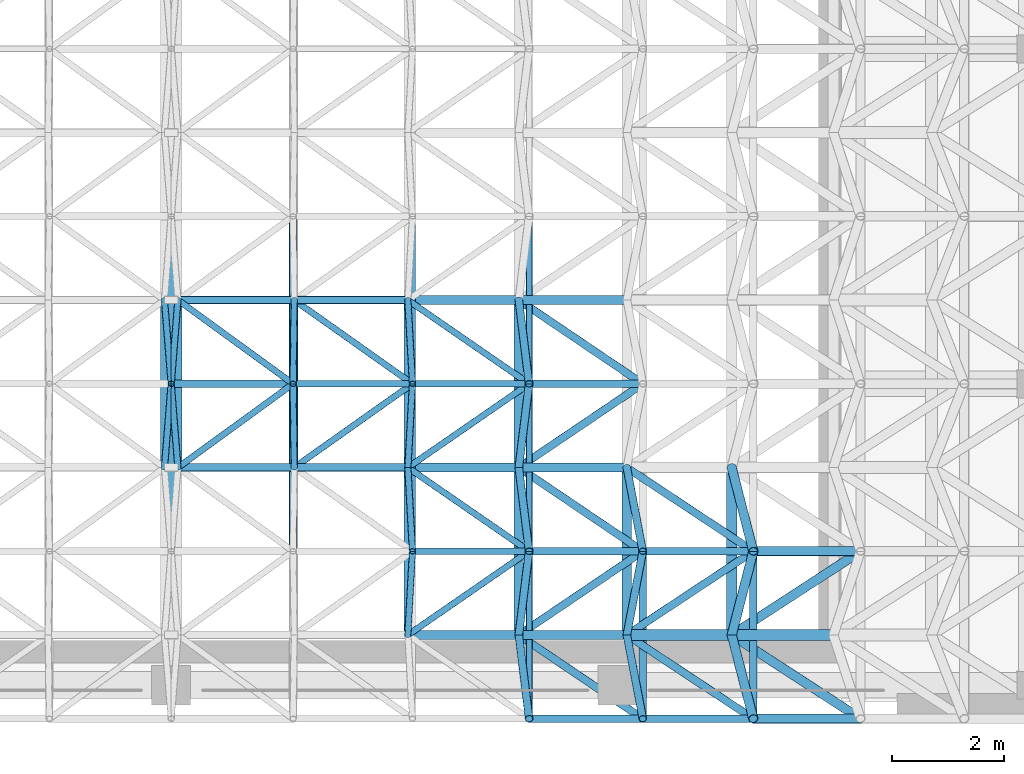
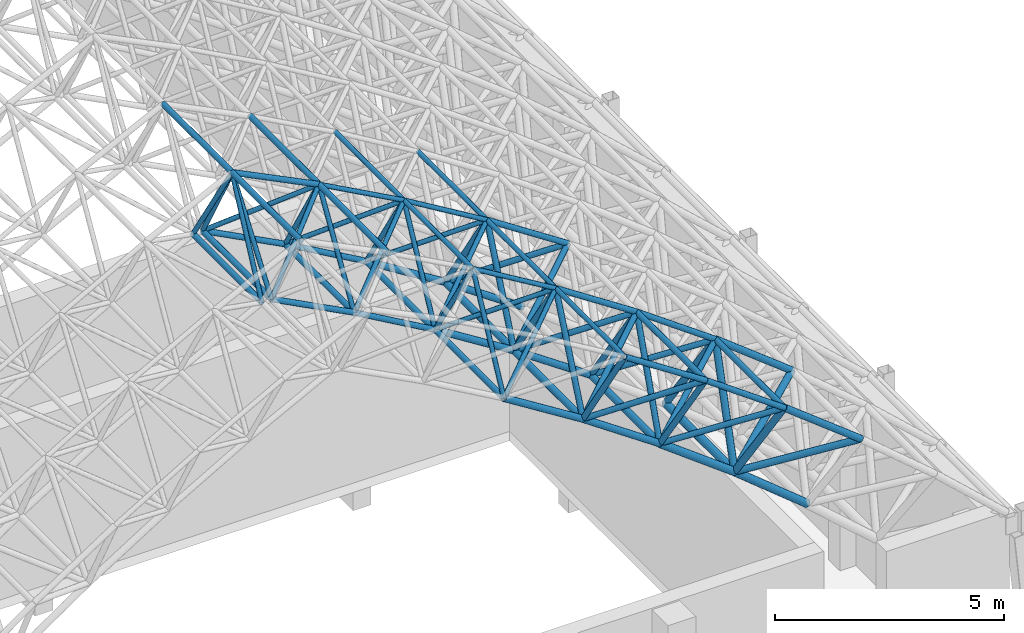
# One storey, part 12 of 141: 82 members.
"""IFC4 building model written with IfcOpenShell, lengths in metres."""

import ifcopenshell
import ifcopenshell.guid

model = None  # the IFC model being written
_history = None  # IfcOwnerHistory: only IFC2X3 demands one
_inside = {}  # id of a spatial element -> (the spatial element, [elements in it])
_under = {}  # id of a project, library or spatial element -> (it, [spatial elements below it])
_declared = {}  # id of a project -> (the project, [libraries it declares])
_typed = {}  # id of a type object -> (the type object, [elements of that type])
_made_of = {}  # id of a material, layer set ... -> (it, [elements and type objects made of it])


def new_model(schema):
    """Start an empty IFC model of exactly this schema.

    Asked for "IFC4X3", IfcOpenShell would pick the latest addendum, in which some entities
    have other attributes; the version numbers below select the first issue.
    IFC2X3 requires an IfcOwnerHistory on every rooted entity: one is made here for all.
    """
    global model, _history
    if schema == "IFC4X3":
        model = ifcopenshell.file(schema_version=(4, 3, 0, 0))
    else:
        model = ifcopenshell.file(schema=schema)
    _inside.clear()
    _under.clear()
    _declared.clear()
    _typed.clear()
    _made_of.clear()
    _history = None
    if model.schema == "IFC2X3":
        org = make("IfcOrganization", Name="unknown")
        user = make(
            "IfcPersonAndOrganization",
            ThePerson=make("IfcPerson", FamilyName="unknown"),
            TheOrganization=org,
        )
        app = make(
            "IfcApplication",
            ApplicationDeveloper=org,
            Version="unknown",
            ApplicationFullName="unknown",
            ApplicationIdentifier="unknown",
        )
        _history = make(
            "IfcOwnerHistory",
            OwningUser=user,
            OwningApplication=app,
            ChangeAction="ADDED",
            CreationDate=0,
        )
    return model


def make(cls, **values):
    """One entity of the class cls with the attributes given. An attribute that is None is left unset."""
    return model.create_entity(
        cls, **{name: value for name, value in values.items() if value is not None}
    )


def rooted(cls, **values):
    """An entity with a GlobalId (a new one), such as an element, a storey or a relation."""
    return make(cls, GlobalId=ifcopenshell.guid.new(), OwnerHistory=_history, **values)


def si_unit(unit_type, name, prefix=None):
    """IfcSIUnit, for example si_unit("LENGTHUNIT", "METRE", prefix="MILLI")."""
    return make("IfcSIUnit", UnitType=unit_type, Prefix=prefix, Name=name)


def assignment(units):
    """IfcUnitAssignment: the units of a project."""
    return None if units is None else make("IfcUnitAssignment", Units=units)


def point(xyz):
    """IfcCartesianPoint."""
    return None if xyz is None else make("IfcCartesianPoint", Coordinates=xyz)


def direction(xyz):
    """IfcDirection."""
    return None if xyz is None else make("IfcDirection", DirectionRatios=xyz)


def frame(location, z_axis=None, x_axis=None):
    """IfcAxis2Placement3D, a coordinate frame: its origin and axes. An axis left out is left unset."""
    return make(
        "IfcAxis2Placement3D",
        Location=point(location),
        Axis=direction(z_axis),
        RefDirection=direction(x_axis),
    )


def frame_2d(location, x_axis=None):
    """IfcAxis2Placement2D, a coordinate frame in the plane: its origin and x axis."""
    return make(
        "IfcAxis2Placement2D", Location=point(location), RefDirection=direction(x_axis)
    )


def origin():
    """The frame at (0, 0, 0) with its axes left unset."""
    return frame((0.0, 0.0, 0.0))


def origin_2d():
    """The frame at (0, 0) in the plane with its x axis left unset."""
    return frame_2d((0.0, 0.0))


def place(relative_to, where):
    """IfcLocalPlacement: puts the frame where relative to a parent placement (None: the world)."""
    return make(
        "IfcLocalPlacement", PlacementRelTo=relative_to, RelativePlacement=where
    )


def context(
    kind, dimensions, precision=None, world=None, true_north=None, identifier=None
):
    """IfcGeometricRepresentationContext, for example the 3D "Model" context."""
    return make(
        "IfcGeometricRepresentationContext",
        ContextIdentifier=identifier,
        ContextType=kind,
        CoordinateSpaceDimension=dimensions,
        Precision=precision,
        WorldCoordinateSystem=world,
        TrueNorth=true_north,
    )


def subcontext(parent, identifier, kind, view, scale=None):
    """IfcGeometricRepresentationSubContext, for example "Body" below "Model"."""
    return make(
        "IfcGeometricRepresentationSubContext",
        ContextIdentifier=identifier,
        ContextType=kind,
        ParentContext=parent,
        TargetScale=scale,
        TargetView=view,
    )


def project(units=None, contexts=None):
    """IfcProject with its units and contexts."""
    return rooted(
        "IfcProject",
        Name="project",
        RepresentationContexts=contexts,
        UnitsInContext=assignment(units),
    )


def spatial(cls, under=None, at=None, **own):
    """A site, building, storey or space (cls), placed at a placement, below another one or the project."""
    s = rooted(cls, ObjectPlacement=at, **own)
    if under is not None:
        _under.setdefault(under.id(), (under, []))[1].append(s)
    return s


def profile(cls, at=None, kind="AREA", **sizes):
    """A parametric profile (cls). Its sizes go by their IFC names, for example OverallWidth=200.0."""
    return make(cls, ProfileType=kind, Position=at, **sizes)


def hollow_circle(**sizes):
    """IfcCircleHollowProfileDef."""
    return profile("IfcCircleHollowProfileDef", **sizes)


def extrude(swept, where, along, depth):
    """IfcExtrudedAreaSolid: the profile swept, set in the frame where, extruded along a direction by depth."""
    return make(
        "IfcExtrudedAreaSolid",
        SweptArea=swept,
        Position=where,
        ExtrudedDirection=direction(along),
        Depth=depth,
    )


def shape(context_of_items, identifier, shape_type, items):
    """IfcShapeRepresentation: the items that make up one representation, for example the "Body"."""
    return make(
        "IfcShapeRepresentation",
        ContextOfItems=context_of_items,
        RepresentationIdentifier=identifier,
        RepresentationType=shape_type,
        Items=items,
    )


def material(Name=None, Category=None):
    """IfcMaterial."""
    return make("IfcMaterial", Name=Name, Category=Category)


def material_profile(
    of_material, cross_section, Name=None, Category=None, Priority=None
):
    """IfcMaterialProfile: a cross section and its material."""
    return make(
        "IfcMaterialProfile",
        Name=Name,
        Material=of_material,
        Profile=cross_section,
        Priority=Priority,
        Category=Category,
    )


def profile_set(profiles, Name=None, composite=None):
    """IfcMaterialProfileSet."""
    return make(
        "IfcMaterialProfileSet",
        Name=Name,
        MaterialProfiles=profiles,
        CompositeProfile=composite,
    )


def made_of(thing, what):
    """Note that an element or type object is made of a material, layer set ...; save() writes the relation."""
    if what is not None:
        _made_of.setdefault(what.id(), (what, []))[1].append(thing)
    return thing


def type_object(cls, material=None, **own):
    """A type object (cls), such as IfcWallType, which elements share."""
    return made_of(rooted(cls, **own), material)


def element(
    cls,
    number,
    at=None,
    inside=None,
    cuts=None,
    type_object=None,
    material=None,
    context=None,
    identifier="Body",
    shape_type=None,
    held_by="IfcProductDefinitionShape",
    body=None,
    shapes=None,
    **own,
):
    """One element of the class cls, such as IfcWall. Its Tag is "e" and its number.

    at: its placement. inside: the storey or other place that contains it. cuts: it is an
    opening in that element (IfcRelVoidsElement). A single representation is given by context,
    identifier, shape_type and body (its items); several are given by shapes. held_by: the class
    of the entity that holds the representations. save() writes the other relations.
    """
    e = rooted(cls, Tag="e%d" % number, ObjectPlacement=at, **own)
    if body is not None:
        shapes = [shape(context, identifier, shape_type, body)]
    if shapes is not None:
        e.Representation = make(held_by, Representations=shapes)
    if inside is not None:
        _inside.setdefault(inside.id(), (inside, []))[1].append(e)
    if cuts is not None:
        rooted(
            "IfcRelVoidsElement", RelatingBuildingElement=cuts, RelatedOpeningElement=e
        )
    if type_object is not None:
        _typed.setdefault(type_object.id(), (type_object, []))[1].append(e)
    return made_of(e, material)


def aggregate(whole, parts):
    """IfcRelAggregates: a whole, such as a stair, and the parts it consists of."""
    return rooted("IfcRelAggregates", RelatingObject=whole, RelatedObjects=parts)


def save(model, path):
    """Write the relations noted so far, then the file.

    IfcRelAggregates (storeys below a building ...), IfcRelContainedInSpatialStructure (elements
    in a storey), IfcRelDefinesByType, IfcRelAssociatesMaterial and IfcRelDeclares: one each for
    every whole, place, type object, material and project.
    """
    for whole, parts in _under.values():
        aggregate(whole, parts)
    for where, things in _inside.values():
        rooted(
            "IfcRelContainedInSpatialStructure",
            RelatedElements=things,
            RelatingStructure=where,
        )
    for kind, things in _typed.values():
        rooted("IfcRelDefinesByType", RelatedObjects=things, RelatingType=kind)
    for what, things in _made_of.values():
        rooted("IfcRelAssociatesMaterial", RelatedObjects=things, RelatingMaterial=what)
    for by, libraries in _declared.values():
        rooted("IfcRelDeclares", RelatingContext=by, RelatedDefinitions=libraries)
    model.write(path)


model = new_model("IFC4")

# Units and contexts
model_context = context("Model", 3, precision=1e-05, world=origin(), true_north=direction((0.0, 1.0)))
body_context = subcontext(model_context, "Body", "Model", "MODEL_VIEW")
ifc_project = project(units=[si_unit("LENGTHUNIT", "METRE"), si_unit("AREAUNIT", "SQUARE_METRE"), si_unit("VOLUMEUNIT", "CUBIC_METRE"), si_unit("PLANEANGLEUNIT", "RADIAN"), si_unit("MASSUNIT", "GRAM", prefix="KILO")], contexts=[model_context])

# Site, building, storey
site_placement = place(None, origin())
site = spatial("IfcSite", under=ifc_project, at=site_placement, CompositionType="ELEMENT")
building_placement = place(site_placement, origin())
building = spatial("IfcBuilding", under=site, at=building_placement, Name="Lantern Court Media Centre", CompositionType="ELEMENT")
storey_placement = place(building_placement, frame((0.0, 0.0, 9.60009765625)))
storey = spatial("IfcBuildingStorey", under=building, at=storey_placement, Name="L02", CompositionType="ELEMENT", Elevation=9.60009765625)

# Members
ifc_material = material(Name="Steel S355J2 (EN 10025-2)", Category="steel")
ifc_material_profile_1 = material_profile(ifc_material, hollow_circle(Radius=0.06982421875, WallThickness=0.0048828125, at=origin_2d()), Name="Cinema Hall bottom CHS 139.7x5")
ifc_profile_set_1 = profile_set([ifc_material_profile_1], Name="Steel S355J2 (EN 10025-2)")
member_type_1 = type_object("IfcMemberType", Name="Cinema Hall bottom CHS 139.7x5", PredefinedType="CHORD", material=ifc_profile_set_1)
for number, where, z_axis, x_axis, name in (
    (1, (15.87939453125, 2.5, 13.298583984375), (0.0, 1.0, 0.0), (-1.0, 0.0, 0.0), "Cinema Hall bottom chord 08-02"),
    (2, (16.12060546875, 2.5, 13.298583984375), (0.0, 1.0, 0.0), (-1.0, 0.0, 0.0), "Cinema Hall bottom chord 09-02"),
):
    element("IfcMember", number, at=place(storey_placement, frame(where, z_axis=z_axis, x_axis=x_axis)), inside=storey, type_object=member_type_1, Name=name, PredefinedType="CHORD", context=body_context, shape_type="SweptSolid", body=[
        extrude(hollow_circle(Radius=0.06982421875, WallThickness=0.0048828125, at=origin_2d()), origin(), (0.0, 0.0, 1.0), 3.0),
    ])
ifc_material_profile_2 = material_profile(ifc_material, hollow_circle(Radius=0.06982421875, WallThickness=0.00634765625, at=origin_2d()), Name="Cinema Hall bottom CHS 139.7x6.3")
ifc_profile_set_2 = profile_set([ifc_material_profile_2], Name="Steel S355J2 (EN 10025-2)")
member_type_2 = type_object("IfcMemberType", Name="Cinema Hall bottom CHS 139.7x6.3", PredefinedType="CHORD", material=ifc_profile_set_2)
for number, where, z_axis, x_axis, name in (
    (3, (20.23974609375, -0.5, 11.04443359375), (0.0, 1.0, 0.0), (-1.0, 0.0, 0.0), "Cinema Hall bottom chord 11-01"),
    (4, (18.203125, 2.5, 12.21337890625), (0.0, 1.0, 0.0), (-1.0, 0.0, 0.0), "Cinema Hall bottom chord 10-02"),
    (5, (20.23974609375, 2.5, 11.04443359375), (0.0, 1.0, 0.0), (-1.0, 0.0, 0.0), "Cinema Hall bottom chord 11-02"),
):
    element("IfcMember", number, at=place(storey_placement, frame(where, z_axis=z_axis, x_axis=x_axis)), inside=storey, type_object=member_type_2, Name=name, PredefinedType="CHORD", context=body_context, shape_type="SweptSolid", body=[
        extrude(hollow_circle(Radius=0.06982421875, WallThickness=0.00634765625, at=origin_2d()), origin(), (0.0, 0.0, 1.0), 3.0),
    ])
member_1_placement = place(storey_placement, frame((16.12060546875, 2.5, 13.298583984375), z_axis=(0.88681645353, 0.0, -0.462121821329), x_axis=(0.0, 1.0, 0.0)))
element("IfcMember", 6, at=member_1_placement, inside=storey, type_object=member_type_2, Name="Cinema Hall bottom chord 09-02 across", PredefinedType="CHORD", context=body_context, shape_type="SweptSolid", body=[
    extrude(hollow_circle(Radius=0.06982421875, WallThickness=0.00634765625, at=origin_2d()), origin(), (0.0, 0.0, 1.0), 2.348388671875),
])
member_2_placement = place(storey_placement, frame((18.203125, 2.5, 12.21337890625), z_axis=(0.867294659253, 0.0, -0.497795112503), x_axis=(0.0, 1.0, 0.0)))
element("IfcMember", 7, at=member_2_placement, inside=storey, type_object=member_type_2, Name="Cinema Hall bottom chord 10-02 across", PredefinedType="CHORD", context=body_context, shape_type="SweptSolid", body=[
    extrude(hollow_circle(Radius=0.06982421875, WallThickness=0.00634765625, at=origin_2d()), origin(), (0.0, 0.0, 1.0), 2.34814453125),
])
member_3_placement = place(storey_placement, frame((16.12060546875, 5.5, 13.298583984375), z_axis=(0.88681645353, 0.0, -0.462121821329), x_axis=(0.0, 1.0, 0.0)))
element("IfcMember", 8, at=member_3_placement, inside=storey, type_object=member_type_2, Name="Cinema Hall bottom chord 09-03 across", PredefinedType="CHORD", context=body_context, shape_type="SweptSolid", body=[
    extrude(hollow_circle(Radius=0.06982421875, WallThickness=0.00634765625, at=origin_2d()), origin(), (0.0, 0.0, 1.0), 2.348388671875),
])
member_4_placement = place(storey_placement, frame((18.203125, 5.5, 12.21337890625), z_axis=(0.867294659253, 0.0, -0.497795112503), x_axis=(0.0, 1.0, 0.0)))
element("IfcMember", 9, at=member_4_placement, inside=storey, type_object=member_type_2, Name="Cinema Hall bottom chord 10-03 across", PredefinedType="CHORD", context=body_context, shape_type="SweptSolid", body=[
    extrude(hollow_circle(Radius=0.06982421875, WallThickness=0.00634765625, at=origin_2d()), origin(), (0.0, 0.0, 1.0), 2.34814453125),
])
ifc_material_profile_3 = material_profile(ifc_material, hollow_circle(Radius=0.084228515625, WallThickness=0.00634765625, at=origin_2d()), Name="Cinema Hall bottom CHS 168.3x6.3")
ifc_profile_set_3 = profile_set([ifc_material_profile_3], Name="Steel S355J2 (EN 10025-2)")
member_type_3 = type_object("IfcMemberType", Name="Cinema Hall bottom CHS 168.3x6.3", PredefinedType="CHORD", material=ifc_profile_set_3)
for number, where, z_axis, x_axis, name in (
    (10, (22.227294921875, -0.5, 9.7939453125), (0.0, 1.0, 0.0), (-1.0, 0.0, 0.0), "Cinema Hall bottom chord 12-01"),
    (11, (22.227294921875, 2.5, 9.7939453125), (0.0, 1.0, 0.0), (-1.0, 0.0, 0.0), "Cinema Hall bottom chord 12-02"),
):
    element("IfcMember", number, at=place(storey_placement, frame(where, z_axis=z_axis, x_axis=x_axis)), inside=storey, type_object=member_type_3, Name=name, PredefinedType="CHORD", context=body_context, shape_type="SweptSolid", body=[
        extrude(hollow_circle(Radius=0.084228515625, WallThickness=0.00634765625, at=origin_2d()), origin(), (0.0, 0.0, 1.0), 3.0),
    ])
for number, where, z_axis, x_axis, name in (
    (12, (20.23974609375, -0.5, 11.04443359375), (0.846411623189, 0.0, -0.532529214344), (0.0, 1.0, 0.0), "Cinema Hall bottom chord 11-01 across"),
    (13, (20.23974609375, 2.5, 11.04443359375), (0.846411623189, 0.0, -0.532529214344), (0.0, 1.0, 0.0), "Cinema Hall bottom chord 11-02 across"),
    (14, (20.23974609375, 5.5, 11.04443359375), (0.846411623189, 0.0, -0.532529214344), (0.0, 1.0, 0.0), "Cinema Hall bottom chord 11-03 across"),
):
    element("IfcMember", number, at=place(storey_placement, frame(where, z_axis=z_axis, x_axis=x_axis)), inside=storey, type_object=member_type_3, Name=name, PredefinedType="CHORD", context=body_context, shape_type="SweptSolid", body=[
        extrude(hollow_circle(Radius=0.084228515625, WallThickness=0.00634765625, at=origin_2d()), origin(), (0.0, 0.0, 1.0), 2.34814453125),
    ])
ifc_material_profile_4 = material_profile(ifc_material, hollow_circle(Radius=0.084228515625, WallThickness=0.008056640625, at=origin_2d()), Name="Cinema Hall bottom CHS 168.3x8")
ifc_profile_set_4 = profile_set([ifc_material_profile_4], Name="Steel S355J2 (EN 10025-2)")
member_type_4 = type_object("IfcMemberType", Name="Cinema Hall bottom CHS 168.3x8", PredefinedType="CHORD", material=ifc_profile_set_4)
member_5_placement = place(storey_placement, frame((24.162353515625, -0.5, 8.463623046875), z_axis=(0.0, 1.0, 0.0), x_axis=(-1.0, 0.0, 0.0)))
element("IfcMember", 15, at=member_5_placement, inside=storey, type_object=member_type_4, Name="Cinema Hall bottom chord 13-01", PredefinedType="CHORD", context=body_context, shape_type="SweptSolid", body=[
    extrude(hollow_circle(Radius=0.084228515625, WallThickness=0.008056640625, at=origin_2d()), origin(), (0.0, 0.0, 1.0), 3.0),
])
for number, where, z_axis, x_axis, name in (
    (16, (22.227294921875, -0.5, 9.7939453125), (0.824047991233, 0.0, -0.56651999801), (0.0, 1.0, 0.0), "Cinema Hall bottom chord 12-01 across"),
    (17, (22.227294921875, 2.5, 9.7939453125), (0.824047991233, 0.0, -0.56651999801), (0.0, 1.0, 0.0), "Cinema Hall bottom chord 12-02 across"),
    (18, (22.227294921875, 5.5, 9.7939453125), (0.824047991233, 0.0, -0.56651999801), (0.0, 1.0, 0.0), "Cinema Hall bottom chord 12-03 across"),
):
    element("IfcMember", number, at=place(storey_placement, frame(where, z_axis=z_axis, x_axis=x_axis)), inside=storey, type_object=member_type_4, Name=name, PredefinedType="CHORD", context=body_context, shape_type="SweptSolid", body=[
        extrude(hollow_circle(Radius=0.084228515625, WallThickness=0.008056640625, at=origin_2d()), origin(), (0.0, 0.0, 1.0), 2.34814453125),
    ])
ifc_material_profile_5 = material_profile(ifc_material, hollow_circle(Radius=0.096923828125, WallThickness=0.010009765625, at=origin_2d()), Name="Cinema Hall bottom CHS 193.7x10")
ifc_profile_set_5 = profile_set([ifc_material_profile_5], Name="Steel S355J2 (EN 10025-2)")
member_type_5 = type_object("IfcMemberType", Name="Cinema Hall bottom CHS 193.7x10", PredefinedType="CHORD", material=ifc_profile_set_5)
member_6_placement = place(storey_placement, frame((26.041748046875, -0.5, 7.0556640625), z_axis=(0.775340578175, 0.0, -0.63154333805), x_axis=(0.0, 1.0, 0.0)))
element("IfcMember", 19, at=member_6_placement, inside=storey, type_object=member_type_5, Name="Cinema Hall bottom chord 14-01 across", PredefinedType="CHORD", context=body_context, shape_type="SweptSolid", body=[
    extrude(hollow_circle(Radius=0.096923828125, WallThickness=0.010009765625, at=origin_2d()), origin(), (0.0, 0.0, 1.0), 2.34814453125),
])
ifc_material_profile_6 = material_profile(ifc_material, hollow_circle(Radius=0.096923828125, WallThickness=0.008056640625, at=origin_2d()), Name="Cinema Hall bottom CHS 193.7x8")
ifc_profile_set_6 = profile_set([ifc_material_profile_6], Name="Steel S355J2 (EN 10025-2)")
member_type_6 = type_object("IfcMemberType", Name="Cinema Hall bottom CHS 193.7x8", PredefinedType="CHORD", material=ifc_profile_set_6)
member_7_placement = place(storey_placement, frame((26.041748046875, -0.5, 7.0556640625), z_axis=(0.0, 1.0, 0.0), x_axis=(-1.0, 0.0, 0.0)))
element("IfcMember", 20, at=member_7_placement, inside=storey, type_object=member_type_6, Name="Cinema Hall bottom chord 14-01", PredefinedType="CHORD", context=body_context, shape_type="SweptSolid", body=[
    extrude(hollow_circle(Radius=0.096923828125, WallThickness=0.008056640625, at=origin_2d()), origin(), (0.0, 0.0, 1.0), 3.0),
])
member_8_placement = place(storey_placement, frame((24.162353515625, -0.5, 8.463623046875), z_axis=(0.800324254575, 0.0, -0.599567417009), x_axis=(0.0, 1.0, 0.0)))
element("IfcMember", 21, at=member_8_placement, inside=storey, type_object=member_type_6, Name="Cinema Hall bottom chord 13-01 across", PredefinedType="CHORD", context=body_context, shape_type="SweptSolid", body=[
    extrude(hollow_circle(Radius=0.096923828125, WallThickness=0.008056640625, at=origin_2d()), origin(), (0.0, 0.0, 1.0), 2.348388671875),
])
ifc_material_profile_7 = material_profile(ifc_material, hollow_circle(Radius=0.05712890625, WallThickness=0.0048828125, at=origin_2d()), Name="Cinema Hall diagonal CHS 114.3x5")
ifc_profile_set_7 = profile_set([ifc_material_profile_7], Name="Steel S355J2 (EN 10025-2)")
member_type_7 = type_object("IfcMemberType", Name="Cinema Hall diagonal CHS 114.3x5", PredefinedType="BRACE", material=ifc_profile_set_7)
member_9_placement = place(storey_placement, frame((15.87939453125, 2.5, 13.298583984375), z_axis=(0.041317175069, 0.513871910171, 0.85687137365), x_axis=(-0.996783215266, 0.080145004613, 0.0)))
element("IfcMember", 22, at=member_9_placement, inside=storey, type_object=member_type_7, Name="Cinema Hall diagonal 08-02-3", PredefinedType="BRACE", context=body_context, shape_type="SweptSolid", body=[
    extrude(hollow_circle(Radius=0.05712890625, WallThickness=0.0048828125, at=origin_2d()), origin(), (0.0, 0.0, 1.0), 2.9189453125),
])
member_10_placement = place(storey_placement, frame((16.12060546875, 2.5, 13.298583984375), z_axis=(0.706879781117, 0.513851085564, 0.486084392789), x_axis=(-0.587989591395, 0.808868493892, 0.0)))
element("IfcMember", 23, at=member_10_placement, inside=storey, type_object=member_type_7, Name="Cinema Hall diagonal 09-02-3", PredefinedType="BRACE", context=body_context, shape_type="SweptSolid", body=[
    extrude(hollow_circle(Radius=0.05712890625, WallThickness=0.0048828125, at=origin_2d()), origin(), (0.0, 0.0, 1.0), 2.919189453125),
])
for number, where, z_axis, x_axis, name in (
    (24, (16.12060546875, 2.5, 13.298583984375), (-0.041317175069, 0.513871910171, 0.85687137365), (-0.996783215266, -0.080145004613, 0.0), "Cinema Hall diagonal 09-02-4"),
    (25, (15.87939453125, 5.5, 13.298583984375), (0.041317175069, -0.513871910171, 0.85687137365), (0.996783215266, 0.080145004613, 0.0), "Cinema Hall diagonal 08-03-2"),
    (26, (16.12060546875, 5.5, 13.298583984375), (-0.041317175069, -0.513871910171, 0.85687137365), (0.996783215266, -0.080145004613, 0.0), "Cinema Hall diagonal 09-03-1"),
):
    element("IfcMember", number, at=place(storey_placement, frame(where, z_axis=z_axis, x_axis=x_axis)), inside=storey, type_object=member_type_7, Name=name, PredefinedType="BRACE", context=body_context, shape_type="SweptSolid", body=[
        extrude(hollow_circle(Radius=0.05712890625, WallThickness=0.0048828125, at=origin_2d()), origin(), (0.0, 0.0, 1.0), 2.9189453125),
    ])
member_11_placement = place(storey_placement, frame((16.12060546875, 5.5, 13.298583984375), z_axis=(0.706879781117, -0.513851085564, 0.486084392789), x_axis=(0.587989591395, 0.808868493892, 0.0)))
element("IfcMember", 27, at=member_11_placement, inside=storey, type_object=member_type_7, Name="Cinema Hall diagonal 09-03-2", PredefinedType="BRACE", context=body_context, shape_type="SweptSolid", body=[
    extrude(hollow_circle(Radius=0.05712890625, WallThickness=0.0048828125, at=origin_2d()), origin(), (0.0, 0.0, 1.0), 2.919189453125),
])
ifc_material_profile_8 = material_profile(ifc_material, hollow_circle(Radius=0.05712890625, WallThickness=0.00634765625, at=origin_2d()), Name="Cinema Hall diagonal CHS 114.3x6.3")
ifc_profile_set_8 = profile_set([ifc_material_profile_8], Name="Steel S355J2 (EN 10025-2)")
member_type_8 = type_object("IfcMemberType", Name="Cinema Hall diagonal CHS 114.3x6.3", PredefinedType="BRACE", material=ifc_profile_set_8)
for number, where, z_axis, x_axis, name in (
    (28, (20.23974609375, -0.5, 11.04443359375), (0.744001537395, 0.513842788417, 0.427115091218), (-0.568286154794, 0.822830994962, 0.0), "Cinema Hall diagonal 11-01-3"),
    (29, (20.23974609375, -0.5, 11.04443359375), (0.028351859734, 0.513846095007, 0.857413763999), (-0.998481283351, 0.055091984872, 0.0), "Cinema Hall diagonal 11-01-4"),
    (30, (18.203125, 2.5, 12.21337890625), (0.726033609038, 0.513852147671, 0.456980490702), (-0.577701627838, 0.816248019411, 0.0), "Cinema Hall diagonal 10-02-3"),
    (31, (18.203125, 2.5, 12.21337890625), (-0.006523580306, 0.513857402591, 0.857850810283), (-0.99991942426, -0.012694289566, 0.0), "Cinema Hall diagonal 10-02-4"),
    (32, (20.23974609375, 2.5, 11.04443359375), (0.028351859734, -0.513846095007, 0.857413763999), (0.998481283351, 0.055091984872, 0.0), "Cinema Hall diagonal 11-02-1"),
    (33, (20.23974609375, 2.5, 11.04443359375), (0.744001537395, -0.513842788417, 0.427115091218), (0.568286154794, 0.822830994962, 0.0), "Cinema Hall diagonal 11-02-2"),
    (34, (20.23974609375, 2.5, 11.04443359375), (0.744001537395, 0.513842788417, 0.427115091218), (-0.568286154794, 0.822830994962, 0.0), "Cinema Hall diagonal 11-02-3"),
    (35, (20.23974609375, 2.5, 11.04443359375), (0.028351859734, 0.513846095007, 0.857413763999), (-0.998481283351, 0.055091984872, 0.0), "Cinema Hall diagonal 11-02-4"),
    (36, (18.203125, 5.5, 12.21337890625), (-0.006523580306, -0.513857402591, 0.857850810283), (0.99991942426, -0.012694289566, 0.0), "Cinema Hall diagonal 10-03-1"),
    (37, (18.203125, 5.5, 12.21337890625), (0.726033609038, -0.513852147671, 0.456980490702), (0.577701627838, 0.816248019411, 0.0), "Cinema Hall diagonal 10-03-2"),
    (38, (20.23974609375, 5.5, 11.04443359375), (0.028351859734, -0.513846095007, 0.857413763999), (0.998481283351, 0.055091984872, 0.0), "Cinema Hall diagonal 11-03-1"),
    (39, (20.23974609375, 5.5, 11.04443359375), (0.744001537395, -0.513842788417, 0.427115091218), (0.568286154794, 0.822830994962, 0.0), "Cinema Hall diagonal 11-03-2"),
):
    element("IfcMember", number, at=place(storey_placement, frame(where, z_axis=z_axis, x_axis=x_axis)), inside=storey, type_object=member_type_8, Name=name, PredefinedType="BRACE", context=body_context, shape_type="SweptSolid", body=[
        extrude(hollow_circle(Radius=0.05712890625, WallThickness=0.00634765625, at=origin_2d()), origin(), (0.0, 0.0, 1.0), 2.919189453125),
    ])
ifc_material_profile_9 = material_profile(ifc_material, hollow_circle(Radius=0.06982421875, WallThickness=0.00634765625, at=origin_2d()), Name="Cinema Hall diagonal CHS 139.7x6.3")
ifc_profile_set_9 = profile_set([ifc_material_profile_9], Name="Steel S355J2 (EN 10025-2)")
member_type_9 = type_object("IfcMemberType", Name="Cinema Hall diagonal CHS 139.7x6.3", PredefinedType="BRACE", material=ifc_profile_set_9)
member_12_placement = place(storey_placement, frame((22.227294921875, -0.5, 9.7939453125), z_axis=(0.063147046974, -0.513874776966, 0.855537938409), x_axis=(0.992534194664, 0.121966685705, 0.0)))
element("IfcMember", 40, at=member_12_placement, inside=storey, type_object=member_type_9, Name="Cinema Hall diagonal 12-01-1", PredefinedType="BRACE", context=body_context, shape_type="SweptSolid", body=[
    extrude(hollow_circle(Radius=0.06982421875, WallThickness=0.00634765625, at=origin_2d()), origin(), (0.0, 0.0, 1.0), 2.9189453125),
])
for number, where, z_axis, x_axis, name in (
    (41, (22.227294921875, -0.5, 9.7939453125), (0.760744068819, -0.513853513503, 0.396513591718), (0.559735691147, 0.828671199003, 0.0), "Cinema Hall diagonal 12-01-2"),
    (42, (22.227294921875, -0.5, 9.7939453125), (0.760744068819, 0.513853513503, 0.396513591718), (-0.559735691147, 0.828671199003, 0.0), "Cinema Hall diagonal 12-01-3"),
):
    element("IfcMember", number, at=place(storey_placement, frame(where, z_axis=z_axis, x_axis=x_axis)), inside=storey, type_object=member_type_9, Name=name, PredefinedType="BRACE", context=body_context, shape_type="SweptSolid", body=[
        extrude(hollow_circle(Radius=0.06982421875, WallThickness=0.00634765625, at=origin_2d()), origin(), (0.0, 0.0, 1.0), 2.919189453125),
    ])
for number, where, z_axis, x_axis, name in (
    (43, (22.227294921875, -0.5, 9.7939453125), (0.063147046974, 0.513874776966, 0.855537938409), (-0.992534194664, 0.121966685705, 0.0), "Cinema Hall diagonal 12-01-4"),
    (44, (22.227294921875, 2.5, 9.7939453125), (0.063147046974, -0.513874776966, 0.855537938409), (0.992534194664, 0.121966685705, 0.0), "Cinema Hall diagonal 12-02-1"),
):
    element("IfcMember", number, at=place(storey_placement, frame(where, z_axis=z_axis, x_axis=x_axis)), inside=storey, type_object=member_type_9, Name=name, PredefinedType="BRACE", context=body_context, shape_type="SweptSolid", body=[
        extrude(hollow_circle(Radius=0.06982421875, WallThickness=0.00634765625, at=origin_2d()), origin(), (0.0, 0.0, 1.0), 2.9189453125),
    ])
for number, where, z_axis, x_axis, name in (
    (45, (22.227294921875, 2.5, 9.7939453125), (0.760744068819, -0.513853513503, 0.396513591718), (0.559735691147, 0.828671199003, 0.0), "Cinema Hall diagonal 12-02-2"),
    (46, (22.227294921875, 2.5, 9.7939453125), (0.760744068819, 0.513853513503, 0.396513591718), (-0.559735691147, 0.828671199003, 0.0), "Cinema Hall diagonal 12-02-3"),
):
    element("IfcMember", number, at=place(storey_placement, frame(where, z_axis=z_axis, x_axis=x_axis)), inside=storey, type_object=member_type_9, Name=name, PredefinedType="BRACE", context=body_context, shape_type="SweptSolid", body=[
        extrude(hollow_circle(Radius=0.06982421875, WallThickness=0.00634765625, at=origin_2d()), origin(), (0.0, 0.0, 1.0), 2.919189453125),
    ])
for number, where, z_axis, x_axis, name in (
    (47, (22.227294921875, 2.5, 9.7939453125), (0.063147046974, 0.513874776966, 0.855537938409), (-0.992534194664, 0.121966685705, 0.0), "Cinema Hall diagonal 12-02-4"),
    (48, (22.227294921875, 5.5, 9.7939453125), (0.063147046974, -0.513874776966, 0.855537938409), (0.992534194664, 0.121966685705, 0.0), "Cinema Hall diagonal 12-03-1"),
):
    element("IfcMember", number, at=place(storey_placement, frame(where, z_axis=z_axis, x_axis=x_axis)), inside=storey, type_object=member_type_9, Name=name, PredefinedType="BRACE", context=body_context, shape_type="SweptSolid", body=[
        extrude(hollow_circle(Radius=0.06982421875, WallThickness=0.00634765625, at=origin_2d()), origin(), (0.0, 0.0, 1.0), 2.9189453125),
    ])
member_13_placement = place(storey_placement, frame((22.227294921875, 5.5, 9.7939453125), z_axis=(0.760744068819, -0.513853513503, 0.396513591718), x_axis=(0.559735691147, 0.828671199003, 0.0)))
element("IfcMember", 49, at=member_13_placement, inside=storey, type_object=member_type_9, Name="Cinema Hall diagonal 12-03-2", PredefinedType="BRACE", context=body_context, shape_type="SweptSolid", body=[
    extrude(hollow_circle(Radius=0.06982421875, WallThickness=0.00634765625, at=origin_2d()), origin(), (0.0, 0.0, 1.0), 2.919189453125),
])
ifc_material_profile_10 = material_profile(ifc_material, hollow_circle(Radius=0.06982421875, WallThickness=0.008056640625, at=origin_2d()), Name="Cinema Hall diagonal CHS 139.7x8")
ifc_profile_set_10 = profile_set([ifc_material_profile_10], Name="Steel S355J2 (EN 10025-2)")
member_type_10 = type_object("IfcMemberType", Name="Cinema Hall diagonal CHS 139.7x8", PredefinedType="BRACE", material=ifc_profile_set_10)
member_14_placement = place(storey_placement, frame((24.162353515625, -0.5, 8.463623046875), z_axis=(0.09785614588, -0.51387022247, 0.852268484207), x_axis=(0.982346962135, 0.187068025016, 0.0)))
element("IfcMember", 50, at=member_14_placement, inside=storey, type_object=member_type_10, Name="Cinema Hall diagonal 13-01-1", PredefinedType="BRACE", context=body_context, shape_type="SweptSolid", body=[
    extrude(hollow_circle(Radius=0.06982421875, WallThickness=0.008056640625, at=origin_2d()), origin(), (0.0, 0.0, 1.0), 2.9189453125),
])
for number, where, z_axis, x_axis, name in (
    (51, (24.162353515625, -0.5, 8.463623046875), (0.776210877705, -0.513849761084, 0.365315064521), (0.552001963744, 0.833842810141, 0.0), "Cinema Hall diagonal 13-01-2"),
    (52, (24.162353515625, -0.5, 8.463623046875), (0.776210877705, 0.513849761084, 0.365315064521), (-0.552001963744, 0.833842810141, 0.0), "Cinema Hall diagonal 13-01-3"),
):
    element("IfcMember", number, at=place(storey_placement, frame(where, z_axis=z_axis, x_axis=x_axis)), inside=storey, type_object=member_type_10, Name=name, PredefinedType="BRACE", context=body_context, shape_type="SweptSolid", body=[
        extrude(hollow_circle(Radius=0.06982421875, WallThickness=0.008056640625, at=origin_2d()), origin(), (0.0, 0.0, 1.0), 2.919189453125),
    ])
for number, where, z_axis, x_axis, name in (
    (53, (24.162353515625, -0.5, 8.463623046875), (0.09785614588, 0.51387022247, 0.852268484207), (-0.982346962135, 0.187068025016, 0.0), "Cinema Hall diagonal 13-01-4"),
    (54, (24.162353515625, 2.5, 8.463623046875), (0.09785614588, -0.51387022247, 0.852268484207), (0.982346962135, 0.187068025016, 0.0), "Cinema Hall diagonal 13-02-1"),
):
    element("IfcMember", number, at=place(storey_placement, frame(where, z_axis=z_axis, x_axis=x_axis)), inside=storey, type_object=member_type_10, Name=name, PredefinedType="BRACE", context=body_context, shape_type="SweptSolid", body=[
        extrude(hollow_circle(Radius=0.06982421875, WallThickness=0.008056640625, at=origin_2d()), origin(), (0.0, 0.0, 1.0), 2.9189453125),
    ])
member_15_placement = place(storey_placement, frame((24.162353515625, 2.5, 8.463623046875), z_axis=(0.776210877705, -0.513849761084, 0.365315064521), x_axis=(0.552001963744, 0.833842810141, 0.0)))
element("IfcMember", 55, at=member_15_placement, inside=storey, type_object=member_type_10, Name="Cinema Hall diagonal 13-02-2", PredefinedType="BRACE", context=body_context, shape_type="SweptSolid", body=[
    extrude(hollow_circle(Radius=0.06982421875, WallThickness=0.008056640625, at=origin_2d()), origin(), (0.0, 0.0, 1.0), 2.919189453125),
])
ifc_material_profile_11 = material_profile(ifc_material, hollow_circle(Radius=0.084228515625, WallThickness=0.008056640625, at=origin_2d()), Name="Cinema Hall diagonal CHS 168.3x8")
ifc_profile_set_11 = profile_set([ifc_material_profile_11], Name="Steel S355J2 (EN 10025-2)")
member_type_11 = type_object("IfcMemberType", Name="Cinema Hall diagonal CHS 168.3x8", PredefinedType="BRACE", material=ifc_profile_set_11)
member_16_placement = place(storey_placement, frame((26.041748046875, -0.5, 7.0556640625), z_axis=(0.132389678542, -0.513835871739, 0.847611744804), x_axis=(0.968374432366, 0.249501420318, 0.0)))
element("IfcMember", 56, at=member_16_placement, inside=storey, type_object=member_type_11, Name="Cinema Hall diagonal 14-01-1", PredefinedType="BRACE", context=body_context, shape_type="SweptSolid", body=[
    extrude(hollow_circle(Radius=0.084228515625, WallThickness=0.008056640625, at=origin_2d()), origin(), (0.0, 0.0, 1.0), 2.919189453125),
])
for number, where, z_axis, x_axis, name in (
    (57, (26.041748046875, -0.5, 7.0556640625), (0.790394065187, -0.513881601747, 0.333471019884), (0.545081898441, 0.838382802777, 0.0), "Cinema Hall diagonal 14-01-2"),
    (58, (26.041748046875, -0.5, 7.0556640625), (0.790394065187, 0.513881601747, 0.333471019884), (-0.545081898441, 0.838382802777, 0.0), "Cinema Hall diagonal 14-01-3"),
):
    element("IfcMember", number, at=place(storey_placement, frame(where, z_axis=z_axis, x_axis=x_axis)), inside=storey, type_object=member_type_11, Name=name, PredefinedType="BRACE", context=body_context, shape_type="SweptSolid", body=[
        extrude(hollow_circle(Radius=0.084228515625, WallThickness=0.008056640625, at=origin_2d()), origin(), (0.0, 0.0, 1.0), 2.9189453125),
    ])
for number, where, z_axis, x_axis, name in (
    (59, (26.041748046875, -0.5, 7.0556640625), (0.132389678542, 0.513835871739, 0.847611744804), (-0.968374432366, 0.249501420318, 0.0), "Cinema Hall diagonal 14-01-4"),
    (60, (26.041748046875, 2.5, 7.0556640625), (0.132389678542, -0.513835871739, 0.847611744804), (0.968374432366, 0.249501420318, 0.0), "Cinema Hall diagonal 14-02-1"),
):
    element("IfcMember", number, at=place(storey_placement, frame(where, z_axis=z_axis, x_axis=x_axis)), inside=storey, type_object=member_type_11, Name=name, PredefinedType="BRACE", context=body_context, shape_type="SweptSolid", body=[
        extrude(hollow_circle(Radius=0.084228515625, WallThickness=0.008056640625, at=origin_2d()), origin(), (0.0, 0.0, 1.0), 2.919189453125),
    ])
ifc_material_profile_12 = material_profile(ifc_material, hollow_circle(Radius=0.05712890625, WallThickness=0.00634765625, at=origin_2d()), Name="Cinema Hall top CHS 114.3x6.3")
ifc_profile_set_12 = profile_set([ifc_material_profile_12], Name="Steel S355J2 (EN 10025-2)")
member_type_12 = type_object("IfcMemberType", Name="Cinema Hall top CHS 114.3x6.3", PredefinedType="CHORD", material=ifc_profile_set_12)
for number, where, z_axis, x_axis, name in (
    (61, (22.41162109375, -2.0, 12.291259765625), (0.0, 1.0, 0.0), (-1.0, 0.0, 0.0), "Cinema Hall top chord 12-01"),
    (62, (20.322509765625, 1.0, 13.54736328125), (0.0, 1.0, 0.0), (-1.0, 0.0, 0.0), "Cinema Hall top chord 11-02"),
    (63, (22.41162109375, 1.0, 12.291259765625), (0.0, 1.0, 0.0), (-1.0, 0.0, 0.0), "Cinema Hall top chord 12-02"),
    (64, (20.322509765625, 4.0, 13.54736328125), (0.0, 1.0, 0.0), (-1.0, 0.0, 0.0), "Cinema Hall top chord 11-03"),
    (65, (22.41162109375, 4.0, 12.291259765625), (0.0, 1.0, 0.0), (-1.0, 0.0, 0.0), "Cinema Hall top chord 12-03"),
):
    element("IfcMember", number, at=place(storey_placement, frame(where, z_axis=z_axis, x_axis=x_axis)), inside=storey, type_object=member_type_12, Name=name, PredefinedType="CHORD", context=body_context, shape_type="SweptSolid", body=[
        extrude(hollow_circle(Radius=0.05712890625, WallThickness=0.00634765625, at=origin_2d()), origin(), (0.0, 0.0, 1.0), 3.0),
    ])
for number, where, z_axis, x_axis, name in (
    (66, (20.322509765625, 1.0, 13.54736328125), (0.857015353865, 0.0, -0.515290872459), (0.0, 1.0, 0.0), "Cinema Hall top chord 11-02 across"),
    (67, (18.18408203125, 4.0, 14.717529296875), (0.87724791815, 0.0, -0.480037592384), (0.0, 1.0, 0.0), "Cinema Hall top chord 10-03 across"),
    (68, (20.322509765625, 4.0, 13.54736328125), (0.857015353865, 0.0, -0.515290872459), (0.0, 1.0, 0.0), "Cinema Hall top chord 11-03 across"),
):
    element("IfcMember", number, at=place(storey_placement, frame(where, z_axis=z_axis, x_axis=x_axis)), inside=storey, type_object=member_type_12, Name=name, PredefinedType="CHORD", context=body_context, shape_type="SweptSolid", body=[
        extrude(hollow_circle(Radius=0.05712890625, WallThickness=0.00634765625, at=origin_2d()), origin(), (0.0, 0.0, 1.0), 2.437744140625),
    ])
ifc_material_profile_13 = material_profile(ifc_material, hollow_circle(Radius=0.06982421875, WallThickness=0.0048828125, at=origin_2d()), Name="Cinema Hall top CHS 139.7x5")
ifc_profile_set_13 = profile_set([ifc_material_profile_13], Name="Steel S355J2 (EN 10025-2)")
member_type_13 = type_object("IfcMemberType", Name="Cinema Hall top CHS 139.7x5", PredefinedType="CHORD", material=ifc_profile_set_13)
for number, where, z_axis, x_axis, name in (
    (69, (16.0, 1.0, 15.7998046875), (0.0, 1.0, 0.0), (-1.0, 0.0, 0.0), "Cinema Hall top chord 09-02"),
    (70, (18.18408203125, 1.0, 14.717529296875), (0.0, 1.0, 0.0), (-1.0, 0.0, 0.0), "Cinema Hall top chord 10-02"),
    (71, (16.0, 4.0, 15.7998046875), (0.0, 1.0, 0.0), (-1.0, 0.0, 0.0), "Cinema Hall top chord 09-03"),
    (72, (18.18408203125, 4.0, 14.717529296875), (0.0, 1.0, 0.0), (-1.0, 0.0, 0.0), "Cinema Hall top chord 10-03"),
):
    element("IfcMember", number, at=place(storey_placement, frame(where, z_axis=z_axis, x_axis=x_axis)), inside=storey, type_object=member_type_13, Name=name, PredefinedType="CHORD", context=body_context, shape_type="SweptSolid", body=[
        extrude(hollow_circle(Radius=0.06982421875, WallThickness=0.0048828125, at=origin_2d()), origin(), (0.0, 0.0, 1.0), 3.0),
    ])
member_17_placement = place(storey_placement, frame((16.0, 4.0, 15.7998046875), z_axis=(0.896023995237, 0.0, -0.444005630549), x_axis=(0.0, 1.0, 0.0)))
element("IfcMember", 73, at=member_17_placement, inside=storey, type_object=member_type_13, Name="Cinema Hall top chord 09-03 across", PredefinedType="CHORD", context=body_context, shape_type="SweptSolid", body=[
    extrude(hollow_circle(Radius=0.06982421875, WallThickness=0.0048828125, at=origin_2d()), origin(), (0.0, 0.0, 1.0), 2.4375),
])
ifc_material_profile_14 = material_profile(ifc_material, hollow_circle(Radius=0.06982421875, WallThickness=0.00634765625, at=origin_2d()), Name="Cinema Hall top CHS 139.7x6.3")
ifc_profile_set_14 = profile_set([ifc_material_profile_14], Name="Steel S355J2 (EN 10025-2)")
member_type_14 = type_object("IfcMemberType", Name="Cinema Hall top CHS 139.7x6.3", PredefinedType="CHORD", material=ifc_profile_set_14)
member_18_placement = place(storey_placement, frame((24.447998046875, -2.0, 10.951416015625), z_axis=(0.0, 1.0, 0.0), x_axis=(-1.0, 0.0, 0.0)))
element("IfcMember", 74, at=member_18_placement, inside=storey, type_object=member_type_14, Name="Cinema Hall top chord 13-01", PredefinedType="CHORD", context=body_context, shape_type="SweptSolid", body=[
    extrude(hollow_circle(Radius=0.06982421875, WallThickness=0.00634765625, at=origin_2d()), origin(), (0.0, 0.0, 1.0), 3.0),
])
for number, where, z_axis, x_axis, name in (
    (75, (22.41162109375, -2.0, 12.291259765625), (0.835394087943, 0.0, -0.549651451221), (0.0, 1.0, 0.0), "Cinema Hall top chord 12-01 across"),
    (76, (22.41162109375, 1.0, 12.291259765625), (0.835394087943, 0.0, -0.549651451221), (0.0, 1.0, 0.0), "Cinema Hall top chord 12-02 across"),
    (77, (22.41162109375, 4.0, 12.291259765625), (0.835394087943, 0.0, -0.549651451221), (0.0, 1.0, 0.0), "Cinema Hall top chord 12-03 across"),
):
    element("IfcMember", number, at=place(storey_placement, frame(where, z_axis=z_axis, x_axis=x_axis)), inside=storey, type_object=member_type_14, Name=name, PredefinedType="CHORD", context=body_context, shape_type="SweptSolid", body=[
        extrude(hollow_circle(Radius=0.06982421875, WallThickness=0.00634765625, at=origin_2d()), origin(), (0.0, 0.0, 1.0), 2.437744140625),
    ])
ifc_material_profile_15 = material_profile(ifc_material, hollow_circle(Radius=0.06982421875, WallThickness=0.008056640625, at=origin_2d()), Name="Cinema Hall top CHS 139.7x8")
ifc_profile_set_15 = profile_set([ifc_material_profile_15], Name="Steel S355J2 (EN 10025-2)")
member_type_15 = type_object("IfcMemberType", Name="Cinema Hall top CHS 139.7x8", PredefinedType="CHORD", material=ifc_profile_set_15)
member_19_placement = place(storey_placement, frame((26.42822265625, -2.0, 9.530029296875), z_axis=(0.0, 1.0, 0.0), x_axis=(-1.0, 0.0, 0.0)))
element("IfcMember", 78, at=member_19_placement, inside=storey, type_object=member_type_15, Name="Cinema Hall top chord 14-01", PredefinedType="CHORD", context=body_context, shape_type="SweptSolid", body=[
    extrude(hollow_circle(Radius=0.06982421875, WallThickness=0.008056640625, at=origin_2d()), origin(), (0.0, 0.0, 1.0), 3.0),
])
for number, where, z_axis, x_axis, name in (
    (79, (24.447998046875, -2.0, 10.951416015625), (0.812384562891, 0.0, -0.583122047239), (0.0, 1.0, 0.0), "Cinema Hall top chord 13-01 across"),
    (80, (24.447998046875, 1.0, 10.951416015625), (0.812384562891, 0.0, -0.583122047239), (0.0, 1.0, 0.0), "Cinema Hall top chord 13-02 across"),
):
    element("IfcMember", number, at=place(storey_placement, frame(where, z_axis=z_axis, x_axis=x_axis)), inside=storey, type_object=member_type_15, Name=name, PredefinedType="CHORD", context=body_context, shape_type="SweptSolid", body=[
        extrude(hollow_circle(Radius=0.06982421875, WallThickness=0.008056640625, at=origin_2d()), origin(), (0.0, 0.0, 1.0), 2.4375),
    ])
ifc_material_profile_16 = material_profile(ifc_material, hollow_circle(Radius=0.084228515625, WallThickness=0.008056640625, at=origin_2d()), Name="Cinema Hall top CHS 168.3x8")
ifc_profile_set_16 = profile_set([ifc_material_profile_16], Name="Steel S355J2 (EN 10025-2)")
member_type_16 = type_object("IfcMemberType", Name="Cinema Hall top CHS 168.3x8", PredefinedType="CHORD", material=ifc_profile_set_16)
for number, where, z_axis, x_axis, name in (
    (81, (26.42822265625, -2.0, 9.530029296875), (0.787931739718, 0.0, -0.615762595117), (0.0, 1.0, 0.0), "Cinema Hall top chord 14-01 across"),
    (82, (26.42822265625, 1.0, 9.530029296875), (0.787931739718, 0.0, -0.615762595117), (0.0, 1.0, 0.0), "Cinema Hall top chord 14-02 across"),
):
    element("IfcMember", number, at=place(storey_placement, frame(where, z_axis=z_axis, x_axis=x_axis)), inside=storey, type_object=member_type_16, Name=name, PredefinedType="CHORD", context=body_context, shape_type="SweptSolid", body=[
        extrude(hollow_circle(Radius=0.084228515625, WallThickness=0.008056640625, at=origin_2d()), origin(), (0.0, 0.0, 1.0), 2.4375),
    ])

save(model, "model.ifc")
